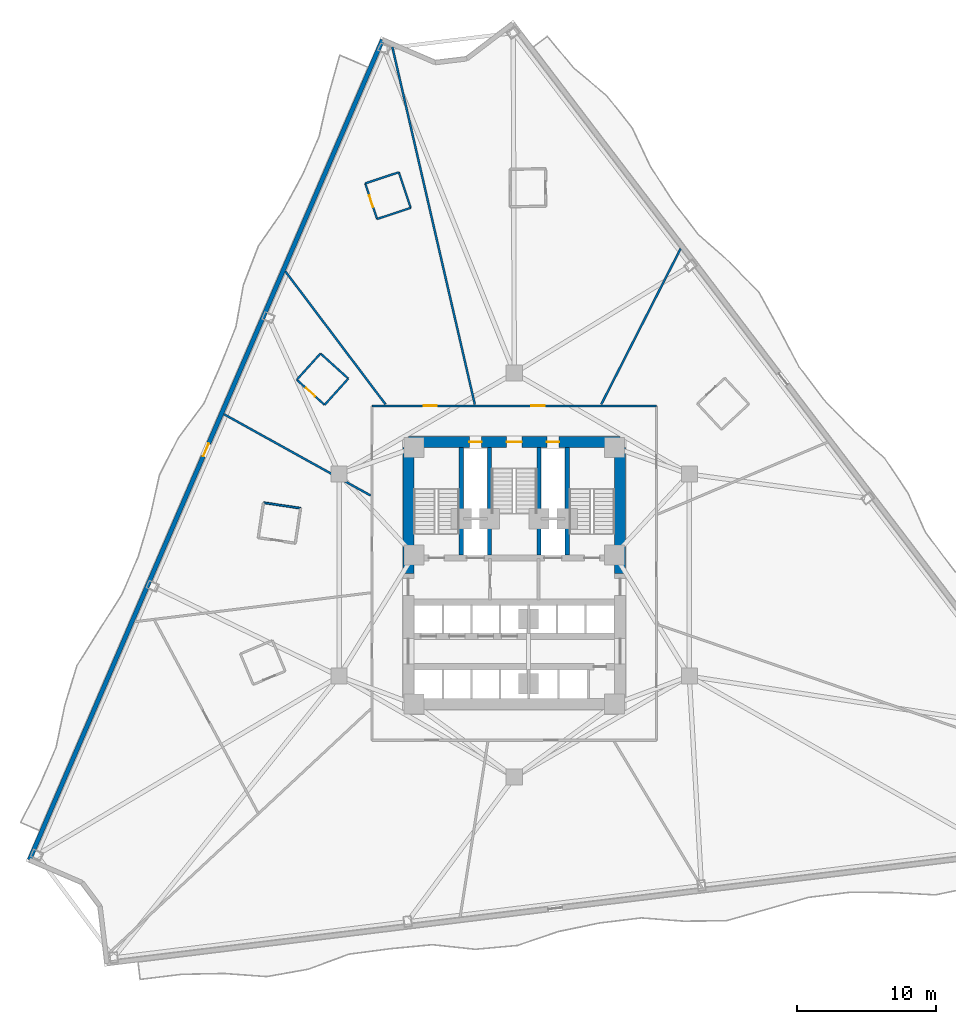
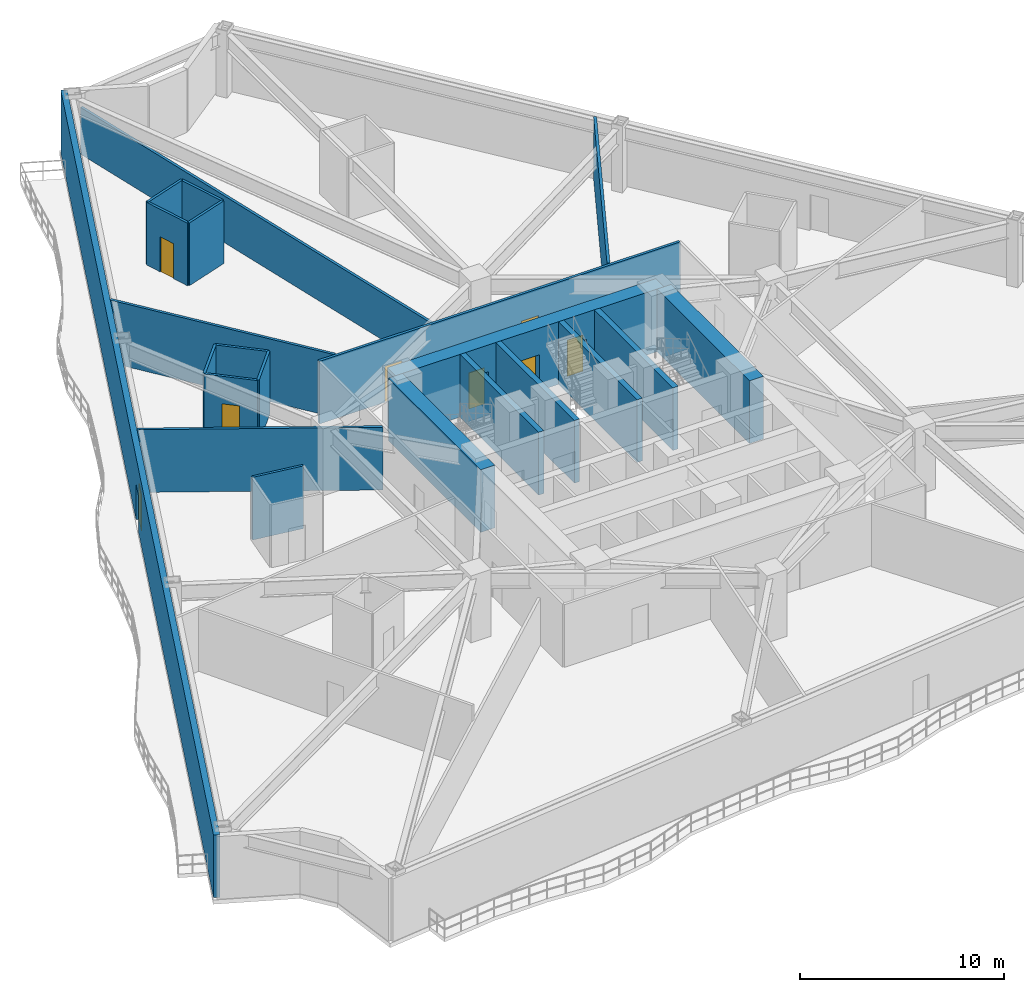
# One storey, part 5 of 12: 22 walls, 8 doors, 8 openings.
"""IFC4 building model written with IfcOpenShell, lengths in metres."""

from ifc_helpers import new_model, si_unit, direction, frame, frame_2d, origin, place, context, subcontext, project, spatial, rectangle, extrude, material, layer, layer_set, type_object, element, fill, save


model = new_model("IFC4")

# Units and contexts
model_context = context("Model", 3, precision=1e-05, world=origin(), true_north=direction((0.0, 1.0)))
body_context = subcontext(model_context, "Body", "Model", "MODEL_VIEW")
ifc_project = project(units=[si_unit("LENGTHUNIT", "METRE"), si_unit("AREAUNIT", "SQUARE_METRE"), si_unit("VOLUMEUNIT", "CUBIC_METRE"), si_unit("PLANEANGLEUNIT", "RADIAN"), si_unit("MASSUNIT", "GRAM", prefix="KILO")], contexts=[model_context])

# Site, building, storey
site_placement = place(None, origin())
site = spatial("IfcSite", under=ifc_project, at=site_placement, CompositionType="ELEMENT")
building_placement = place(site_placement, origin())
building = spatial("IfcBuilding", under=site, at=building_placement, Name="Apsidion Concourse Tower", CompositionType="ELEMENT")
storey_placement = place(building_placement, frame((0.0, 0.0, 83.0)))
storey = spatial("IfcBuildingStorey", under=building, at=storey_placement, Name="L18", CompositionType="ELEMENT", Elevation=83.0)

# Wall, opening, door
ifc_material_1 = material(Name="Precast concrete C40/50", Category="concrete")
ifc_layer_1 = layer(ifc_material_1, 0.320068359375)
ifc_layer_set_1 = layer_set([ifc_layer_1], Name="Precast concrete C40/50")
wall_type_1 = type_object("IfcWallType", Name="WL-EXT-320", PredefinedType="STANDARD", material=ifc_layer_set_1)
wall_1_placement = place(storey_placement, frame((-34.787353515625, -20.429443359375, 0.0), z_axis=(0.0, 0.0, 1.0), x_axis=(0.395418293843, 0.91850115563, 0.0)))
wall_1 = element("IfcWall", 1, at=wall_1_placement, inside=storey, type_object=wall_type_1, Name="L18 Precast Stone Facade Wall 09", PredefinedType="STANDARD", context=body_context, shape_type="SweptSolid", body=[
    extrude(rectangle(XDim=64.058349609375, YDim=0.320068359375, at=frame_2d((32.029296875, 0.0))), origin(), (0.0, 0.0, 1.0), 3.75),
])
opening_1_placement = place(wall_1_placement, frame((31.529296875, 0.0, 0.0)))
opening_1 = element("IfcOpeningElement", 2, at=opening_1_placement, cuts=wall_1, Name="Opening D-T1L", PredefinedType="OPENING", context=body_context, shape_type="SweptSolid", body=[
    extrude(rectangle(XDim=1.0, YDim=2.14990234375, at=frame_2d((0.5, 1.074951171875))), frame((0.0, 0.169921875, 0.0), z_axis=(0.0, -1.0, 0.0), x_axis=(1.0, 0.0, 0.0)), (0.0, 0.0, 1.0), 0.340087890625),
])
ifc_material_2 = material(Name="Anodised aluminium EN AW-6063 T6", Category="aluminium")
door_type_1 = type_object("IfcDoorType", Name="DR-TER-1022L", OperationType="SINGLE_SWING_LEFT", PredefinedType="DOOR", material=ifc_material_2)
door_1_placement = place(opening_1_placement, origin())
door_1 = element("IfcDoor", 3, at=door_1_placement, inside=storey, type_object=door_type_1, Name="L18 Balcony Access Door 1", OperationType="SINGLE_SWING_LEFT", OverallHeight=2.14990234375, OverallWidth=1.0, PredefinedType="DOOR", context=body_context, shape_type="SweptSolid", body=[
    extrude(rectangle(XDim=1.0, YDim=2.14990234375, at=frame_2d((0.5, 1.074951171875))), frame((0.0, 0.02490234375, 0.0), z_axis=(0.0, -1.0, 0.0), x_axis=(1.0, 0.0, 0.0)), (0.0, 0.0, 1.0), 0.050048828125),
])
fill(opening_1, door_1)

# Walls
ifc_material_3 = material(Name="Gypsum plasterboard partition")
ifc_layer_2 = layer(ifc_material_3, 0.139892578125)
ifc_layer_set_2 = layer_set([ifc_layer_2], Name="Gypsum plasterboard partition")
wall_type_2 = type_object("IfcWallType", Name="WL-INT-PAR-140", PredefinedType="PARTITIONING", material=ifc_layer_set_2)
wall_2_placement = place(storey_placement, frame((-7.433837890625, 26.357421875, 0.0), z_axis=(0.0, 0.0, 1.0), x_axis=(-0.315655933888, 0.94887371731, 0.0)))
element("IfcWall", 4, at=wall_2_placement, inside=storey, type_object=wall_type_2, Name="L18 Interior Partition WL-L18-POD-ENS07-S1", PredefinedType="PARTITIONING", context=body_context, shape_type="SweptSolid", body=[
    extrude(rectangle(XDim=2.68994140625, YDim=0.139892578125, at=frame_2d((1.344970703125, 0.0))), origin(), (0.0, 0.0, 1.0), 3.75),
])
wall_3_placement = place(storey_placement, frame((-8.282958984375, 28.909912109375, 0.0), z_axis=(0.0, 0.0, 1.0), x_axis=(-0.948875358448, -0.315651000521, 0.0)))
element("IfcWall", 5, at=wall_3_placement, inside=storey, type_object=wall_type_2, Name="L18 Interior Partition WL-L18-POD-ENS07-S2", PredefinedType="PARTITIONING", context=body_context, shape_type="SweptSolid", body=[
    extrude(rectangle(XDim=2.5400390625, YDim=0.139892578125, at=frame_2d((1.27001953125, 0.0))), origin(), (0.0, 0.0, 1.0), 3.75),
])

# Wall, opening, door
wall_4_placement = place(storey_placement, frame((-10.693115234375, 28.108154296875, 0.0), z_axis=(0.0, 0.0, 1.0), x_axis=(0.315655933888, -0.94887371731, 0.0)))
wall_4 = element("IfcWall", 6, at=wall_4_placement, inside=storey, type_object=wall_type_2, Name="L18 Interior Partition WL-L18-POD-ENS07-S3", PredefinedType="PARTITIONING", context=body_context, shape_type="SweptSolid", body=[
    extrude(rectangle(XDim=2.68994140625, YDim=0.139892578125, at=frame_2d((1.344970703125, 0.0))), origin(), (0.0, 0.0, 1.0), 3.75),
])
opening_2_placement = place(wall_4_placement, frame((0.905029296875, 0.0, 0.0)))
opening_2 = element("IfcOpeningElement", 7, at=opening_2_placement, cuts=wall_4, Name="Opening D-03R", PredefinedType="OPENING", context=body_context, shape_type="SweptSolid", body=[
    extrude(rectangle(XDim=0.8798828125, YDim=2.10009765625, at=frame_2d((0.43994140625, 1.050048828125))), frame((0.0, 0.080078125, 0.0), z_axis=(0.0, -1.0, 0.0), x_axis=(1.0, 0.0, 0.0)), (0.0, 0.0, 1.0), 0.159912109375),
])
door_type_2 = type_object("IfcDoorType", Name="DR-INT-D03R", OperationType="SINGLE_SWING_RIGHT", PredefinedType="DOOR", material=ifc_material_2)
door_2_placement = place(opening_2_placement, origin())
door_2 = element("IfcDoor", 8, at=door_2_placement, inside=storey, type_object=door_type_2, Name="L18 Guest En-Suite Bathroom Door ENS07", OperationType="SINGLE_SWING_RIGHT", OverallHeight=2.10009765625, OverallWidth=0.8798828125, PredefinedType="DOOR", context=body_context, shape_type="SweptSolid", body=[
    extrude(rectangle(XDim=0.8798828125, YDim=2.10009765625, at=frame_2d((0.43994140625, 1.050048828125))), frame((0.0, 0.02490234375, 0.0), z_axis=(0.0, -1.0, 0.0), x_axis=(1.0, 0.0, 0.0)), (0.0, 0.0, 1.0), 0.050048828125),
])
fill(opening_2, door_2)

# Walls
wall_5_placement = place(storey_placement, frame((-9.843994140625, 25.5556640625, 0.0), z_axis=(0.0, 0.0, 1.0), x_axis=(0.948875358448, 0.315651000521, 0.0)))
element("IfcWall", 9, at=wall_5_placement, inside=storey, type_object=wall_type_2, Name="L18 Interior Partition WL-L18-POD-ENS07-S4", PredefinedType="PARTITIONING", context=body_context, shape_type="SweptSolid", body=[
    extrude(rectangle(XDim=2.5400390625, YDim=0.139892578125, at=frame_2d((1.27001953125, 0.0))), origin(), (0.0, 0.0, 1.0), 3.75),
])
wall_6_placement = place(storey_placement, frame((-11.90771484375, 14.101806640625, 0.0), z_axis=(0.0, 0.0, 1.0), x_axis=(-0.742006512303, 0.670392672767, 0.0)))
element("IfcWall", 10, at=wall_6_placement, inside=storey, type_object=wall_type_2, Name="L18 Interior Partition WL-L18-POD-ENS08-S1", PredefinedType="PARTITIONING", context=body_context, shape_type="SweptSolid", body=[
    extrude(rectangle(XDim=2.689697265625, YDim=0.139892578125, at=frame_2d((1.3447265625, 0.0))), origin(), (0.0, 0.0, 1.0), 3.75),
])
wall_7_placement = place(storey_placement, frame((-13.903564453125, 15.905029296875, 0.0), z_axis=(0.0, 0.0, 1.0), x_axis=(-0.670445049089, -0.741959187659, 0.0)))
element("IfcWall", 11, at=wall_7_placement, inside=storey, type_object=wall_type_2, Name="L18 Interior Partition WL-L18-POD-ENS08-S2", PredefinedType="PARTITIONING", context=body_context, shape_type="SweptSolid", body=[
    extrude(rectangle(XDim=2.5400390625, YDim=0.139892578125, at=frame_2d((1.27001953125, 0.0))), origin(), (0.0, 0.0, 1.0), 3.75),
])

# Wall, opening, door
wall_8_placement = place(storey_placement, frame((-15.6064453125, 14.0205078125, 0.0), z_axis=(0.0, 0.0, 1.0), x_axis=(0.741961363453, -0.670442641202, 0.0)))
wall_8 = element("IfcWall", 12, at=wall_8_placement, inside=storey, type_object=wall_type_2, Name="L18 Interior Partition WL-L18-POD-ENS08-S3", PredefinedType="PARTITIONING", context=body_context, shape_type="SweptSolid", body=[
    extrude(rectangle(XDim=2.68994140625, YDim=0.139892578125, at=frame_2d((1.344970703125, 0.0))), origin(), (0.0, 0.0, 1.0), 3.75),
])
opening_3_placement = place(wall_8_placement, frame((0.905029296875, 0.0, 0.0)))
opening_3 = element("IfcOpeningElement", 13, at=opening_3_placement, cuts=wall_8, Name="Opening D-03L", PredefinedType="OPENING", context=body_context, shape_type="SweptSolid", body=[
    extrude(rectangle(XDim=0.8798828125, YDim=2.10009765625, at=frame_2d((0.43994140625, 1.050048828125))), frame((0.0, 0.080078125, 0.0), z_axis=(0.0, -1.0, 0.0), x_axis=(1.0, 0.0, 0.0)), (0.0, 0.0, 1.0), 0.159912109375),
])
door_type_3 = type_object("IfcDoorType", Name="DR-INT-D03L", OperationType="SINGLE_SWING_LEFT", PredefinedType="DOOR", material=ifc_material_2)
door_3_placement = place(opening_3_placement, origin())
door_3 = element("IfcDoor", 14, at=door_3_placement, inside=storey, type_object=door_type_3, Name="L18 Guest En-Suite Bathroom Door ENS08", OperationType="SINGLE_SWING_LEFT", OverallHeight=2.10009765625, OverallWidth=0.8798828125, PredefinedType="DOOR", context=body_context, shape_type="SweptSolid", body=[
    extrude(rectangle(XDim=0.8798828125, YDim=2.10009765625, at=frame_2d((0.43994140625, 1.050048828125))), frame((0.0, 0.02490234375, 0.0), z_axis=(0.0, -1.0, 0.0), x_axis=(1.0, 0.0, 0.0)), (0.0, 0.0, 1.0), 0.050048828125),
])
fill(opening_3, door_3)

# Walls
wall_9_placement = place(storey_placement, frame((-13.610595703125, 12.217041015625, 0.0), z_axis=(0.0, 0.0, 1.0), x_axis=(0.670397236325, 0.742002389166, 0.0)))
element("IfcWall", 15, at=wall_9_placement, inside=storey, type_object=wall_type_2, Name="L18 Interior Partition WL-L18-POD-ENS08-S4", PredefinedType="PARTITIONING", context=body_context, shape_type="SweptSolid", body=[
    extrude(rectangle(XDim=2.5400390625, YDim=0.139892578125, at=frame_2d((1.27001953125, 0.0))), origin(), (0.0, 0.0, 1.0), 3.75),
])
wall_10_placement = place(storey_placement, frame((-15.33349609375, 4.802001953125, 0.0), z_axis=(0.0, 0.0, 1.0), x_axis=(-0.989010125109, 0.147847801579, 0.0)))
element("IfcWall", 16, at=wall_10_placement, inside=storey, type_object=wall_type_2, Name="L18 Interior Partition WL-L18-POD-ENS09-S1", PredefinedType="PARTITIONING", context=body_context, shape_type="SweptSolid", body=[
    extrude(rectangle(XDim=2.68994140625, YDim=0.139892578125, at=frame_2d((1.344970703125, 0.0))), origin(), (0.0, 0.0, 1.0), 3.75),
])

# Wall, openings, doors
ifc_layer_3 = layer(ifc_material_3, 0.14990234375)
ifc_layer_set_3 = layer_set([ifc_layer_3], Name="Gypsum plasterboard partition")
wall_type_3 = type_object("IfcWallType", Name="WL-INT-PAR-150", PredefinedType="PARTITIONING", material=ifc_layer_set_3)
wall_11_placement = place(storey_placement, frame((-10.199951171875, 12.14990234375, 0.0), z_axis=(0.0, 0.0, 1.0), x_axis=(1.0, 0.0, 0.0)))
wall_11 = element("IfcWall", 17, at=wall_11_placement, inside=storey, type_object=wall_type_3, Name="L18 Interior Partition WL-L18-CORR-01", PredefinedType="PARTITIONING", context=body_context, shape_type="SweptSolid", body=[
    extrude(rectangle(XDim=20.39990234375, YDim=0.14990234375, at=frame_2d((10.199951171875, 0.0))), origin(), (0.0, 0.0, 1.0), 3.75),
])
opening_4_placement = place(wall_11_placement, frame((11.430419921875, 0.0, 0.0)))
opening_4 = element("IfcOpeningElement", 18, at=opening_4_placement, cuts=wall_11, Name="Opening D-01L", PredefinedType="OPENING", context=body_context, shape_type="SweptSolid", body=[
    extrude(rectangle(XDim=0.949951171875, YDim=2.14990234375, at=frame_2d((0.47509765625, 1.074951171875))), frame((0.0, 0.0849609375, 0.0), z_axis=(0.0, -1.0, 0.0), x_axis=(1.0, 0.0, 0.0)), (0.0, 0.0, 1.0), 0.169921875),
])
opening_5_placement = place(wall_11_placement, frame((3.69677734375, 0.0, 0.0)))
opening_5 = element("IfcOpeningElement", 19, at=opening_5_placement, cuts=wall_11, Name="Opening D-01R", PredefinedType="OPENING", context=body_context, shape_type="SweptSolid", body=[
    extrude(rectangle(XDim=0.949951171875, YDim=2.14990234375, at=frame_2d((0.47509765625, 1.074951171875))), frame((0.0, 0.0849609375, 0.0), z_axis=(0.0, -1.0, 0.0), x_axis=(1.0, 0.0, 0.0)), (0.0, 0.0, 1.0), 0.169921875),
])
ifc_material_4 = material(Name="Brushed stainless steel 316", Category="steel")
door_type_4 = type_object("IfcDoorType", Name="DR-INT-D01L", OperationType="SINGLE_SWING_LEFT", PredefinedType="DOOR", material=ifc_material_4)
door_4_placement = place(opening_4_placement, origin())
door_4 = element("IfcDoor", 20, at=door_4_placement, inside=storey, type_object=door_type_4, Name="L18 Corridor Entry Door 07", OperationType="SINGLE_SWING_LEFT", OverallHeight=2.14990234375, OverallWidth=0.949951171875, PredefinedType="DOOR", context=body_context, shape_type="SweptSolid", body=[
    extrude(rectangle(XDim=0.949951171875, YDim=2.14990234375, at=frame_2d((0.47509765625, 1.074951171875))), frame((0.0, 0.02490234375, 0.0), z_axis=(0.0, -1.0, 0.0), x_axis=(1.0, 0.0, 0.0)), (0.0, 0.0, 1.0), 0.050048828125),
])
fill(opening_4, door_4)
door_type_5 = type_object("IfcDoorType", Name="DR-INT-D01R", OperationType="SINGLE_SWING_RIGHT", PredefinedType="DOOR", material=ifc_material_4)
door_5_placement = place(opening_5_placement, origin())
door_5 = element("IfcDoor", 21, at=door_5_placement, inside=storey, type_object=door_type_5, Name="L18 Corridor Entry Door 08", OperationType="SINGLE_SWING_RIGHT", OverallHeight=2.14990234375, OverallWidth=0.949951171875, PredefinedType="DOOR", context=body_context, shape_type="SweptSolid", body=[
    extrude(rectangle(XDim=0.949951171875, YDim=2.14990234375, at=frame_2d((0.47509765625, 1.074951171875))), frame((0.0, 0.02490234375, 0.0), z_axis=(0.0, -1.0, 0.0), x_axis=(1.0, 0.0, 0.0)), (0.0, 0.0, 1.0), 0.050048828125),
])
fill(opening_5, door_5)

# Walls
wall_12_placement = place(storey_placement, frame((6.244140625, 12.2548828125, 0.0), z_axis=(0.0, 0.0, 1.0), x_axis=(0.453994561764, 0.891004454472, 0.0)))
element("IfcWall", 22, at=wall_12_placement, inside=storey, type_object=wall_type_3, Name="L18 Interior Partition WL-L18-RAD-02-1", PredefinedType="PARTITIONING", context=body_context, shape_type="SweptSolid", body=[
    extrude(rectangle(XDim=12.548583984375, YDim=0.14990234375, at=frame_2d((6.2744140625, 0.0))), origin(), (0.0, 0.0, 1.0), 3.75),
])
wall_13_placement = place(storey_placement, frame((-2.829345703125, 12.2548828125, 0.0), z_axis=(0.0, 0.0, 1.0), x_axis=(-0.224953618915, 0.974369472704, 0.0)))
element("IfcWall", 23, at=wall_13_placement, inside=storey, type_object=wall_type_3, Name="L18 Interior Partition WL-L18-RAD-03-1", PredefinedType="PARTITIONING", context=body_context, shape_type="SweptSolid", body=[
    extrude(rectangle(XDim=26.334716796875, YDim=0.14990234375, at=frame_2d((13.16748046875, 0.0))), origin(), (0.0, 0.0, 1.0), 2.798095703125),
])
wall_14_placement = place(storey_placement, frame((-9.23486328125, 12.2548828125, 0.0), z_axis=(0.0, 0.0, 1.0), x_axis=(-0.601804313692, 0.798643580091, 0.0)))
element("IfcWall", 24, at=wall_14_placement, inside=storey, type_object=wall_type_3, Name="L18 Interior Partition WL-L18-RAD-04-1", PredefinedType="PARTITIONING", context=body_context, shape_type="SweptSolid", body=[
    extrude(rectangle(XDim=11.9404296875, YDim=0.14990234375, at=frame_2d((5.97021484375, 0.0))), origin(), (0.0, 0.0, 1.0), 3.75),
])
wall_15_placement = place(storey_placement, frame((-10.304931640625, 5.712158203125, 0.0), z_axis=(0.0, 0.0, 1.0), x_axis=(-0.87461523799, 0.484817682718, 0.0)))
element("IfcWall", 25, at=wall_15_placement, inside=storey, type_object=wall_type_3, Name="L18 Interior Partition WL-L18-RAD-05-1", PredefinedType="PARTITIONING", context=body_context, shape_type="SweptSolid", body=[
    extrude(rectangle(XDim=12.034912109375, YDim=0.14990234375, at=frame_2d((6.017578125, 0.0))), origin(), (0.0, 0.0, 1.0), 3.75),
])
ifc_material_5 = material(Name="Concrete C50/60", Category="concrete")
ifc_layer_4 = layer(ifc_material_5, 0.300048828125)
ifc_layer_set_4 = layer_set([ifc_layer_4], Name="Concrete C50/60")
wall_type_4 = type_object("IfcWallType", Name="WL-SH-300", PredefinedType="SHEAR", material=ifc_layer_set_4)
for number, where, z_axis, x_axis, name in (
    (26, (-3.800048828125, 1.449951171875, 0.0), (0.0, 0.0, 1.0), (0.0, 1.0, 0.0), "L18 Central Core Shear Wall V1"),
    (27, (-1.77490234375, 1.449951171875, 0.0), (0.0, 0.0, 1.0), (0.0, 1.0, 0.0), "L18 Central Core Shear Wall V2"),
    (28, (1.77490234375, 1.449951171875, 0.0), (0.0, 0.0, 1.0), (0.0, 1.0, 0.0), "L18 Central Core Shear Wall V3"),
    (29, (3.800048828125, 1.449951171875, 0.0), (0.0, 0.0, 1.0), (0.0, 1.0, 0.0), "L18 Central Core Shear Wall V4"),
):
    element("IfcWall", number, at=place(storey_placement, frame(where, z_axis=z_axis, x_axis=x_axis)), inside=storey, type_object=wall_type_4, Name=name, PredefinedType="SHEAR", context=body_context, shape_type="SweptSolid", body=[
        extrude(rectangle(XDim=7.699951171875, YDim=0.300048828125, at=frame_2d((3.85009765625, 0.0))), origin(), (0.0, 0.0, 1.0), 3.75),
    ])

# Wall, openings, doors
ifc_material_6 = material(Name="Concrete C60/75", Category="concrete")
ifc_layer_5 = layer(ifc_material_6, 0.800048828125)
ifc_layer_set_5 = layer_set([ifc_layer_5], Name="Concrete C60/75")
wall_type_5 = type_object("IfcWallType", Name="WL-SH-800", PredefinedType="SHEAR", material=ifc_layer_set_5)
wall_16_placement = place(storey_placement, frame((-7.60009765625, 9.550048828125, 0.0), z_axis=(0.0, 0.0, 1.0), x_axis=(1.0, 0.0, 0.0)))
wall_16 = element("IfcWall", 30, at=wall_16_placement, inside=storey, type_object=wall_type_5, Name="L18 Central Core Shear Wall N", PredefinedType="SHEAR", context=body_context, shape_type="SweptSolid", body=[
    extrude(rectangle(XDim=15.2001953125, YDim=0.800048828125, at=frame_2d((7.60009765625, 0.0))), origin(), (0.0, 0.0, 1.0), 3.75),
])
opening_6_placement = place(wall_16_placement, frame((7.050048828125, 0.0, 0.0)))
opening_6 = element("IfcOpeningElement", 31, at=opening_6_placement, cuts=wall_16, Name="Opening D-STL", PredefinedType="OPENING", context=body_context, shape_type="SweptSolid", body=[
    extrude(rectangle(XDim=1.10009765625, YDim=2.14990234375, at=frame_2d((0.550048828125, 1.074951171875))), frame((0.0, 0.41015625, 0.0), z_axis=(0.0, -1.0, 0.0), x_axis=(1.0, 0.0, 0.0)), (0.0, 0.0, 1.0), 0.820068359375),
])
opening_7_placement = place(wall_16_placement, frame((4.3798828125, 0.0, 0.0)))
opening_7 = element("IfcOpeningElement", 32, at=opening_7_placement, cuts=wall_16, Name="Opening D-05L", PredefinedType="OPENING", context=body_context, shape_type="SweptSolid", body=[
    extrude(rectangle(XDim=0.8798828125, YDim=2.14990234375, at=frame_2d((0.43994140625, 1.074951171875))), frame((0.0, 0.41015625, 0.0), z_axis=(0.0, -1.0, 0.0), x_axis=(1.0, 0.0, 0.0)), (0.0, 0.0, 1.0), 0.820068359375),
])
opening_8_placement = place(wall_16_placement, frame((9.93994140625, 0.0, 0.0)))
opening_8 = element("IfcOpeningElement", 33, at=opening_8_placement, cuts=wall_16, Name="Opening D-05R", PredefinedType="OPENING", context=body_context, shape_type="SweptSolid", body=[
    extrude(rectangle(XDim=0.8798828125, YDim=2.14990234375, at=frame_2d((0.43994140625, 1.074951171875))), frame((0.0, 0.41015625, 0.0), z_axis=(0.0, -1.0, 0.0), x_axis=(1.0, 0.0, 0.0)), (0.0, 0.0, 1.0), 0.820068359375),
])
door_type_6 = type_object("IfcDoorType", Name="DR-INT-D05L", OperationType="SINGLE_SWING_LEFT", PredefinedType="DOOR", material=ifc_material_4)
door_6_placement = place(opening_7_placement, origin())
door_6 = element("IfcDoor", 34, at=door_6_placement, inside=storey, type_object=door_type_6, Name="L18 Electrical Riser Shaft Access Door", OperationType="SINGLE_SWING_LEFT", OverallHeight=2.14990234375, OverallWidth=0.8798828125, PredefinedType="DOOR", context=body_context, shape_type="SweptSolid", body=[
    extrude(rectangle(XDim=0.8798828125, YDim=2.14990234375, at=frame_2d((0.43994140625, 1.074951171875))), frame((0.0, 0.02490234375, 0.0), z_axis=(0.0, -1.0, 0.0), x_axis=(1.0, 0.0, 0.0)), (0.0, 0.0, 1.0), 0.050048828125),
])
fill(opening_7, door_6)
door_type_7 = type_object("IfcDoorType", Name="DR-INT-D05R", OperationType="SINGLE_SWING_RIGHT", PredefinedType="DOOR", material=ifc_material_4)
door_7_placement = place(opening_8_placement, origin())
door_7 = element("IfcDoor", 35, at=door_7_placement, inside=storey, type_object=door_type_7, Name="L18 Mechanical Riser Shaft Access Door", OperationType="SINGLE_SWING_RIGHT", OverallHeight=2.14990234375, OverallWidth=0.8798828125, PredefinedType="DOOR", context=body_context, shape_type="SweptSolid", body=[
    extrude(rectangle(XDim=0.8798828125, YDim=2.14990234375, at=frame_2d((0.43994140625, 1.074951171875))), frame((0.0, 0.02490234375, 0.0), z_axis=(0.0, -1.0, 0.0), x_axis=(1.0, 0.0, 0.0)), (0.0, 0.0, 1.0), 0.050048828125),
])
fill(opening_8, door_7)
door_type_8 = type_object("IfcDoorType", Name="DR-INT-ST1L", OperationType="SINGLE_SWING_LEFT", PredefinedType="DOOR", material=ifc_material_4)
door_8_placement = place(opening_6_placement, origin())
door_8 = element("IfcDoor", 36, at=door_8_placement, inside=storey, type_object=door_type_8, Name="L18 Core Exit Stair ST3 Door", OperationType="SINGLE_SWING_LEFT", OverallHeight=2.14990234375, OverallWidth=1.10009765625, PredefinedType="DOOR", context=body_context, shape_type="SweptSolid", body=[
    extrude(rectangle(XDim=1.10009765625, YDim=2.14990234375, at=frame_2d((0.550048828125, 1.074951171875))), frame((0.0, 0.02490234375, 0.0), z_axis=(0.0, -1.0, 0.0), x_axis=(1.0, 0.0, 0.0)), (0.0, 0.0, 1.0), 0.050048828125),
])
fill(opening_6, door_8)

# Walls
for number, where, z_axis, x_axis, name in (
    (37, (-7.60009765625, 0.10009765625, 0.0), (0.0, 0.0, 1.0), (0.0, 1.0, 0.0), "L18 Central Core Shear Wall WN"),
    (38, (7.60009765625, 0.10009765625, 0.0), (0.0, 0.0, 1.0), (0.0, 1.0, 0.0), "L18 Central Core Shear Wall EN"),
):
    element("IfcWall", number, at=place(storey_placement, frame(where, z_axis=z_axis, x_axis=x_axis)), inside=storey, type_object=wall_type_5, Name=name, PredefinedType="SHEAR", context=body_context, shape_type="SweptSolid", body=[
        extrude(rectangle(XDim=9.0498046875, YDim=0.800048828125, at=frame_2d((4.52490234375, 0.0))), origin(), (0.0, 0.0, 1.0), 3.75),
    ])

save(model, "model.ifc")
